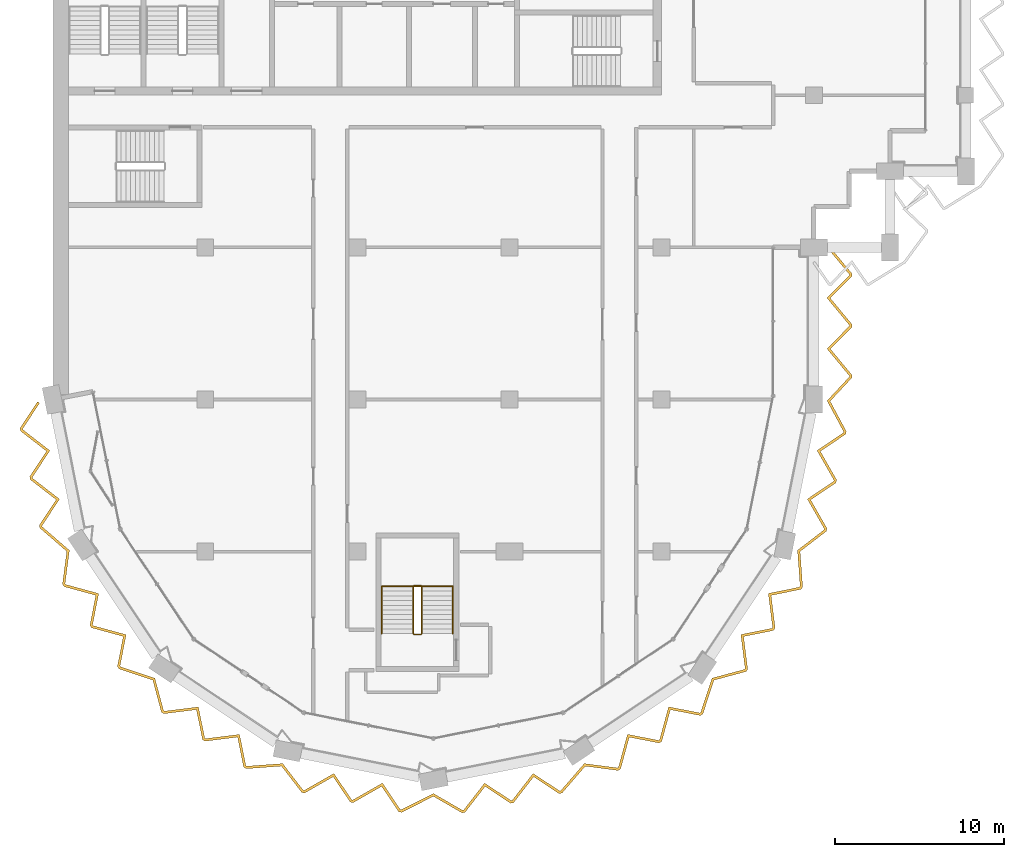
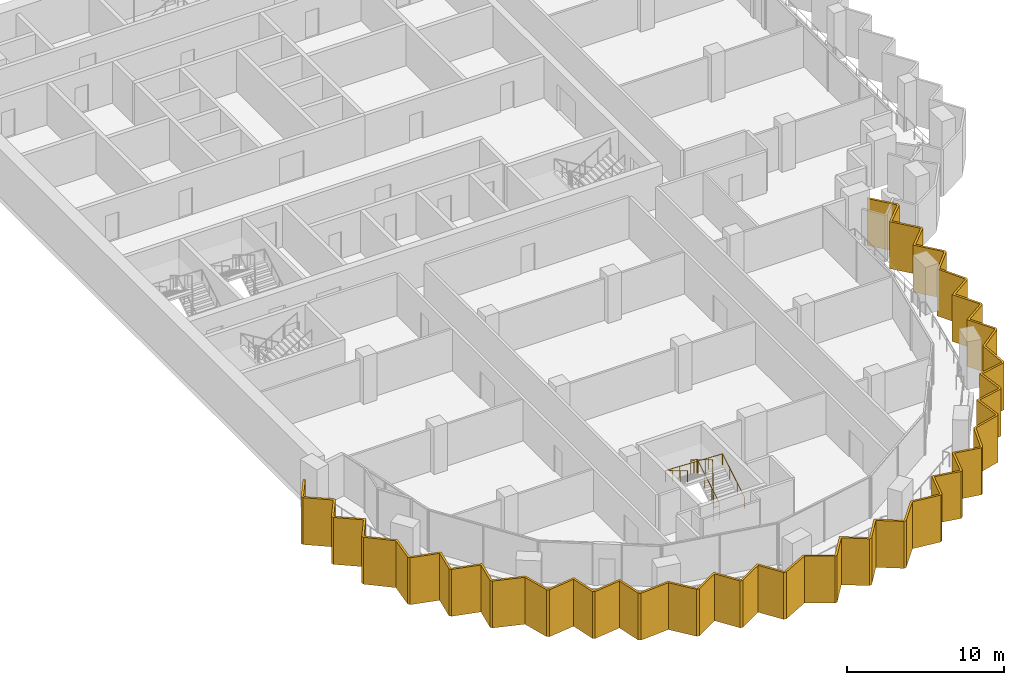
# One storey, part 14 of 17: 2 railings, 1 shading device.
"""IFC4 building model written with IfcOpenShell, lengths in metres."""

from ifc_helpers import new_model, si_unit, direction, frame, origin, origin_2d, place, context, subcontext, project, spatial, polyline, circle, outline, extrude, material, layer, layer_set, type_object, element, save


model = new_model("IFC4")

# Units and contexts
model_context = context("Model", 3, precision=1e-05, world=origin(), true_north=direction((0.0, 1.0)))
body_context = subcontext(model_context, "Body", "Model", "MODEL_VIEW")
ifc_project = project(units=[si_unit("LENGTHUNIT", "METRE"), si_unit("AREAUNIT", "SQUARE_METRE"), si_unit("VOLUMEUNIT", "CUBIC_METRE"), si_unit("PLANEANGLEUNIT", "RADIAN"), si_unit("MASSUNIT", "GRAM", prefix="KILO")], contexts=[model_context])

# Site, building, storey
site_placement = place(None, origin())
site = spatial("IfcSite", under=ifc_project, at=site_placement, CompositionType="ELEMENT")
building_placement = place(site_placement, origin())
building = spatial("IfcBuilding", under=site, at=building_placement, Name="Hunhe Ridgeline Campus", CompositionType="ELEMENT")
storey_placement = place(building_placement, frame((0.0, 0.0, 272.5)))
storey = spatial("IfcBuildingStorey", under=building, at=storey_placement, Name="L70", CompositionType="ELEMENT", Elevation=272.5)

# Shading device
ifc_material_1 = material(Name="Concrete C50", Category="concrete")
ifc_layer = layer(ifc_material_1, 0.14990234375)
ifc_layer_set = layer_set([ifc_layer], Name="Sawtooth concrete fin 150 Concrete C50")
shading_device_type = type_object("IfcShadingDeviceType", Name="Sawtooth concrete fin 150 Concrete C50", PredefinedType="USERDEFINED", material=ifc_layer_set)
shading_device_placement = place(storey_placement, frame((0.0, 0.0, -0.949951171875)))
element("IfcShadingDevice", 1, at=shading_device_placement, inside=storey, type_object=shading_device_type, Name="Concrete fin screen 1", ObjectType="FIN", PredefinedType="USERDEFINED", context=body_context, shape_type="SweptSolid", body=[
    extrude(outline(polyline([(-0.795654296875, 44.787841796875), (-0.920654296875, 44.87060546875), (-1.957275390625, 43.30615234375), (-1.92236328125, 43.130859375), (-0.38818359375, 41.942626953125), (-1.38623046875, 40.43603515625), (-1.351318359375, 40.2607421875), (0.1826171875, 39.072509765625), (-0.8154296875, 37.56591796875), (-0.781005859375, 37.392822265625), (0.808837890625, 36.017822265625), (0.55419921875, 34.073486328125), (0.652099609375, 33.927001953125), (2.52392578125, 33.416259765625), (2.178466796875, 31.642578125), (2.27783203125, 31.493896484375), (4.14990234375, 30.983154296875), (3.80419921875, 29.20947265625), (3.90234375, 29.0625), (5.897216796875, 28.40087890625), (6.406005859375, 26.507080078125), (6.552490234375, 26.4091796875), (8.4775390625, 26.653564453125), (8.8369140625, 24.8828125), (8.98583984375, 24.783203125), (10.91064453125, 25.02783203125), (11.270263671875, 23.2568359375), (11.4169921875, 23.15869140625), (13.513427734375, 23.310791015625), (14.7080078125, 21.755859375), (14.880859375, 21.721435546875), (16.565673828125, 22.683837890625), (17.57568359375, 21.185546875), (17.7509765625, 21.150634765625), (19.435791015625, 22.113037109375), (20.44580078125, 20.614501953125), (20.618896484375, 20.580078125), (22.49755859375, 21.522705078125), (24.1962890625, 20.54345703125), (24.369140625, 20.57763671875), (25.557373046875, 22.11181640625), (27.06396484375, 21.11376953125), (27.2392578125, 21.148681640625), (28.427490234375, 22.6826171875), (29.93408203125, 21.6845703125), (30.107177734375, 21.718994140625), (31.482177734375, 23.308837890625), (33.426513671875, 23.05419921875), (33.572998046875, 23.152099609375), (34.083740234375, 25.02392578125), (35.857421875, 24.678466796875), (36.006103515625, 24.77783203125), (36.516845703125, 26.64990234375), (38.29052734375, 26.30419921875), (38.4375, 26.40234375), (39.09912109375, 28.397216796875), (40.992919921875, 28.906005859375), (41.0908203125, 29.052490234375), (40.846435546875, 30.9775390625), (42.6171875, 31.3369140625), (42.716796875, 31.48583984375), (42.47216796875, 33.41064453125), (44.2431640625, 33.770263671875), (44.34130859375, 33.9169921875), (44.189208984375, 36.013427734375), (45.744140625, 37.2080078125), (45.778564453125, 37.380859375), (44.816162109375, 39.065673828125), (46.314453125, 40.07568359375), (46.349365234375, 40.2509765625), (45.386962890625, 41.935791015625), (46.885498046875, 42.94580078125), (46.920166015625, 43.1201171875), (45.96630859375, 44.90185546875), (47.25, 46.28076171875), (47.25, 46.457275390625), (45.97607421875, 47.995361328125), (47.25, 49.279296875), (47.25, 49.457275390625), (45.97607421875, 50.995361328125), (47.25, 52.279296875), (47.25, 52.457275390625), (45.932861328125, 54.0478515625), (45.817138671875, 53.9521484375), (47.10009765625, 52.4033203125), (47.10009765625, 52.341064453125), (45.77392578125, 51.004638671875), (47.10009765625, 49.4033203125), (47.10009765625, 49.341064453125), (45.77392578125, 48.004638671875), (47.10009765625, 46.4033203125), (47.10009765625, 46.33984375), (45.78369140625, 44.92578125), (46.762451171875, 43.0966796875), (46.75048828125, 43.03564453125), (45.1875, 41.982421875), (46.19140625, 40.225341796875), (46.179443359375, 40.16552734375), (44.61669921875, 39.1123046875), (45.62060546875, 37.355224609375), (45.608154296875, 37.292724609375), (44.03369140625, 36.0830078125), (44.18798828125, 33.95751953125), (44.152587890625, 33.90478515625), (42.305908203125, 33.530029296875), (42.560791015625, 31.5224609375), (42.52685546875, 31.4716796875), (40.68017578125, 31.0966796875), (40.93505859375, 29.08935546875), (40.899658203125, 29.036376953125), (38.982177734375, 28.521240234375), (38.311279296875, 26.49853515625), (38.258544921875, 26.46337890625), (36.408935546875, 26.82373046875), (35.876220703125, 24.871337890625), (35.825439453125, 24.83740234375), (33.9755859375, 25.197998046875), (33.44287109375, 23.24560546875), (33.389892578125, 23.210205078125), (31.42138671875, 23.468017578125), (30.02734375, 21.856201171875), (29.96533203125, 21.84375), (28.394287109375, 22.884521484375), (27.155029296875, 21.284912109375), (27.09521484375, 21.27294921875), (25.524169921875, 22.313720703125), (24.284912109375, 20.7138671875), (24.222412109375, 20.701416015625), (22.50244140625, 21.693115234375), (20.59765625, 20.7373046875), (20.53564453125, 20.74951171875), (19.482421875, 22.3125), (17.725341796875, 21.30859375), (17.66552734375, 21.320556640625), (16.6123046875, 22.88330078125), (14.855224609375, 21.87939453125), (14.792724609375, 21.891845703125), (13.5830078125, 23.46630859375), (11.45751953125, 23.31201171875), (11.40478515625, 23.347412109375), (11.030029296875, 25.194091796875), (9.0224609375, 24.939208984375), (8.9716796875, 24.97314453125), (8.5966796875, 26.81982421875), (6.58935546875, 26.56494140625), (6.536376953125, 26.600341796875), (6.021240234375, 28.517822265625), (3.99853515625, 29.188720703125), (3.96337890625, 29.241455078125), (4.32373046875, 31.091064453125), (2.371337890625, 31.623779296875), (2.33740234375, 31.674560546875), (2.697998046875, 33.5244140625), (0.74560546875, 34.05712890625), (0.710205078125, 34.110107421875), (0.968017578125, 36.07861328125), (-0.643798828125, 37.47265625), (-0.65625, 37.53466796875), (0.384521484375, 39.105712890625), (-1.215087890625, 40.344970703125), (-1.22705078125, 40.40478515625), (-0.186279296875, 41.975830078125), (-1.7861328125, 43.215087890625), (-1.798095703125, 43.27490234375), (-0.795654296875, 44.787841796875)])), origin(), (0.0, 0.0, 1.0), 3.64990234375),
])

# Railings
ifc_material_2 = material(Name="Stainless steel balustrade", Category="steel")
railing_type_1 = type_object("IfcRailingType", Name="Stair guard 1100 stainless", PredefinedType="GUARDRAIL", material=ifc_material_2)
railing_1_placement = place(storey_placement, frame((21.800048828125, 31.14990234375, 0.168212890625)))
element("IfcRailing", 2, at=railing_1_placement, inside=storey, type_object=railing_type_1, Name="L70 stair W3 guard", PredefinedType="GUARDRAIL", context=body_context, shape_type="SweptSolid", body=[
    extrude(circle(Radius=0.02392578125, at=origin_2d()), frame((0.0, 0.0, 1.076171875), z_axis=(0.0, 0.857242210791, 0.514913383045), x_axis=(-1.0, 0.0, 0.0)), (0.0, 0.0, 1.0), 3.266357421875),
    extrude(circle(Radius=0.02392578125, at=origin_2d()), frame((0.0, 2.800048828125, 2.7578125), z_axis=(-0.707106781187, 0.707106781187, 0.0), x_axis=(-0.707106781187, -0.707106781187, 0.0)), (0.0, 0.0, 1.0), 0.07080078125),
    extrude(circle(Radius=0.02392578125, at=origin_2d()), frame((-0.050048828125, 2.85009765625, 2.7578125), z_axis=(-1.0, 0.0, 0.0), x_axis=(0.0, -1.0, 0.0)), (0.0, 0.0, 1.0), 0.39990234375),
    extrude(circle(Radius=0.02392578125, at=origin_2d()), frame((-0.449951171875, 2.85009765625, 2.7578125), z_axis=(-0.274582412415, -0.274582412415, 0.921525364591), x_axis=(0.707106781187, -0.707106781187, 0.0)), (0.0, 0.0, 1.0), 0.182373046875),
    extrude(circle(Radius=0.02392578125, at=origin_2d()), frame((-0.5, 2.800048828125, 2.92578125), z_axis=(0.0, -0.857242210791, 0.514913383045), x_axis=(1.0, 0.0, 0.0)), (0.0, 0.0, 1.0), 3.266357421875),
    extrude(circle(Radius=0.02392578125, at=origin_2d()), frame((-0.5, 0.0, 4.60791015625), z_axis=(0.013524426427, -0.013458453615, -0.999817963389), x_axis=(0.705375805398, 0.708833529934, 0.0)), (0.0, 0.0, 1.0), 3.70068359375),
    extrude(circle(Radius=0.02392578125, at=origin_2d()), frame((-0.449951171875, -0.0498046875, 0.90771484375), z_axis=(1.0, 0.0, 0.0), x_axis=(0.0, 1.0, 0.0)), (0.0, 0.0, 1.0), 0.39990234375),
    extrude(circle(Radius=0.02099609375, at=origin_2d()), origin(), (0.0, 0.0, 1.0), 1.052001953125),
    extrude(circle(Radius=0.02099609375, at=origin_2d()), frame((0.0, 0.933349609375, 0.560546875)), (0.0, 0.0, 1.0), 1.052001953125),
    extrude(circle(Radius=0.02099609375, at=origin_2d()), frame((0.0, 1.86669921875, 1.121337890625)), (0.0, 0.0, 1.0), 1.052001953125),
    extrude(circle(Radius=0.02099609375, at=origin_2d()), frame((0.0, 2.800048828125, 1.681884765625)), (0.0, 0.0, 1.0), 1.052001953125),
    extrude(circle(Radius=0.02099609375, at=origin_2d()), frame((-0.050048828125, 2.85009765625, 1.681884765625)), (0.0, 0.0, 1.0), 1.052001953125),
    extrude(circle(Radius=0.02099609375, at=origin_2d()), frame((-0.449951171875, 2.85009765625, 1.681884765625)), (0.0, 0.0, 1.0), 1.052001953125),
    extrude(circle(Radius=0.02099609375, at=origin_2d()), frame((-0.5, 2.800048828125, 1.849853515625)), (0.0, 0.0, 1.0), 1.052001953125),
    extrude(circle(Radius=0.02099609375, at=origin_2d()), frame((-0.5, 1.86669921875, 2.410400390625)), (0.0, 0.0, 1.0), 1.052001953125),
    extrude(circle(Radius=0.02099609375, at=origin_2d()), frame((-0.5, 0.933349609375, 2.97119140625)), (0.0, 0.0, 1.0), 1.052001953125),
    extrude(circle(Radius=0.02099609375, at=origin_2d()), frame((-0.5, 0.0, 3.53173828125)), (0.0, 0.0, 1.0), 1.052001953125),
    extrude(circle(Radius=0.02099609375, at=origin_2d()), frame((-0.487548828125, -0.012451171875, 2.606689453125)), (0.0, 0.0, 1.0), 1.052001953125),
    extrude(circle(Radius=0.02099609375, at=origin_2d()), frame((-0.47509765625, -0.02490234375, 1.681640625)), (0.0, 0.0, 1.0), 1.052001953125),
    extrude(circle(Radius=0.02099609375, at=origin_2d()), frame((-0.46240234375, -0.037353515625, 0.7568359375)), (0.0, 0.0, 1.0), 1.052001953125),
    extrude(circle(Radius=0.02099609375, at=origin_2d()), frame((-0.449951171875, -0.0498046875, -0.168212890625)), (0.0, 0.0, 1.0), 1.052001953125),
    extrude(circle(Radius=0.02099609375, at=origin_2d()), frame((-0.050048828125, -0.0498046875, -0.168212890625)), (0.0, 0.0, 1.0), 1.052001953125),
])
ifc_material_3 = material(Name="Stainless steel handrail", Category="steel")
railing_type_2 = type_object("IfcRailingType", Name="Stair handrail 900 stainless", PredefinedType="HANDRAIL", material=ifc_material_3)
railing_2_placement = place(storey_placement, frame((23.64990234375, 31.14990234375, 0.168212890625)))
element("IfcRailing", 3, at=railing_2_placement, inside=storey, type_object=railing_type_2, Name="L70 stair W3 handrail", PredefinedType="HANDRAIL", context=body_context, shape_type="SweptSolid", body=[
    extrude(circle(Radius=0.02392578125, at=origin_2d()), frame((0.0, 0.0, 0.8759765625), z_axis=(0.0, 0.857242210791, 0.514913383045), x_axis=(-1.0, 0.0, 0.0)), (0.0, 0.0, 1.0), 3.266357421875),
    extrude(circle(Radius=0.02392578125, at=origin_2d()), frame((0.0, 2.800048828125, 2.5576171875), z_axis=(-0.99920123705, 0.0, 0.039961079526), x_axis=(0.0, -1.0, 0.0)), (0.0, 0.0, 1.0), 4.203369140625),
    extrude(circle(Radius=0.02392578125, at=origin_2d()), frame((-4.199951171875, 2.800048828125, 2.7255859375), z_axis=(0.0, -0.857242210791, 0.514913383045), x_axis=(1.0, 0.0, 0.0)), (0.0, 0.0, 1.0), 3.266357421875),
    extrude(circle(Radius=0.02099609375, at=origin_2d()), origin(), (0.0, 0.0, 1.0), 0.851806640625),
    extrude(circle(Radius=0.02099609375, at=origin_2d()), frame((0.0, 0.933349609375, 0.560546875)), (0.0, 0.0, 1.0), 0.851806640625),
    extrude(circle(Radius=0.02099609375, at=origin_2d()), frame((0.0, 1.86669921875, 1.121337890625)), (0.0, 0.0, 1.0), 0.851806640625),
    extrude(circle(Radius=0.02099609375, at=origin_2d()), frame((0.0, 2.800048828125, 1.681884765625)), (0.0, 0.0, 1.0), 0.851806640625),
    extrude(circle(Radius=0.02099609375, at=origin_2d()), frame((-1.050048828125, 2.800048828125, 1.723876953125)), (0.0, 0.0, 1.0), 0.851806640625),
    extrude(circle(Radius=0.02099609375, at=origin_2d()), frame((-2.10009765625, 2.800048828125, 1.765869140625)), (0.0, 0.0, 1.0), 0.851806640625),
    extrude(circle(Radius=0.02099609375, at=origin_2d()), frame((-3.14990234375, 2.800048828125, 1.807861328125)), (0.0, 0.0, 1.0), 0.851806640625),
    extrude(circle(Radius=0.02099609375, at=origin_2d()), frame((-4.199951171875, 2.800048828125, 1.849853515625)), (0.0, 0.0, 1.0), 0.851806640625),
    extrude(circle(Radius=0.02099609375, at=origin_2d()), frame((-4.199951171875, 1.86669921875, 2.410400390625)), (0.0, 0.0, 1.0), 0.851806640625),
    extrude(circle(Radius=0.02099609375, at=origin_2d()), frame((-4.199951171875, 0.933349609375, 2.97119140625)), (0.0, 0.0, 1.0), 0.851806640625),
    extrude(circle(Radius=0.02099609375, at=origin_2d()), frame((-4.199951171875, 0.0, 3.53173828125)), (0.0, 0.0, 1.0), 0.851806640625),
])

save(model, "model.ifc")
